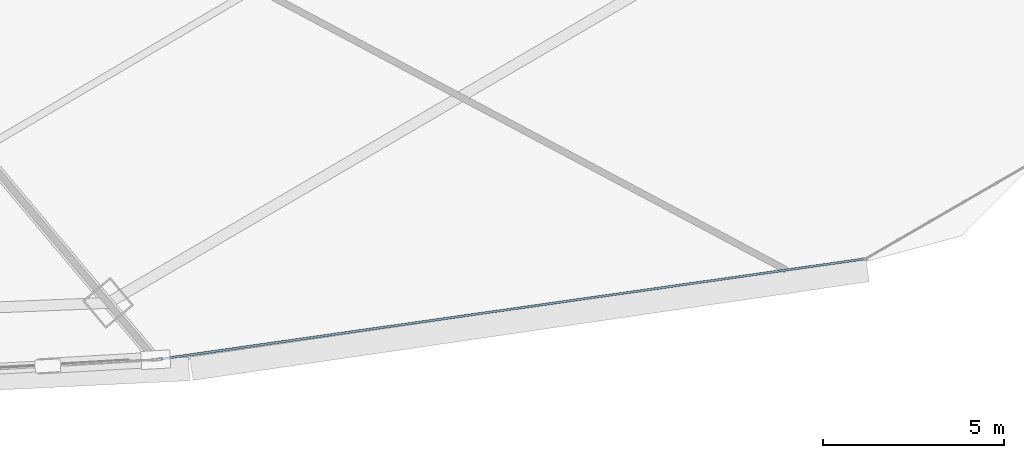
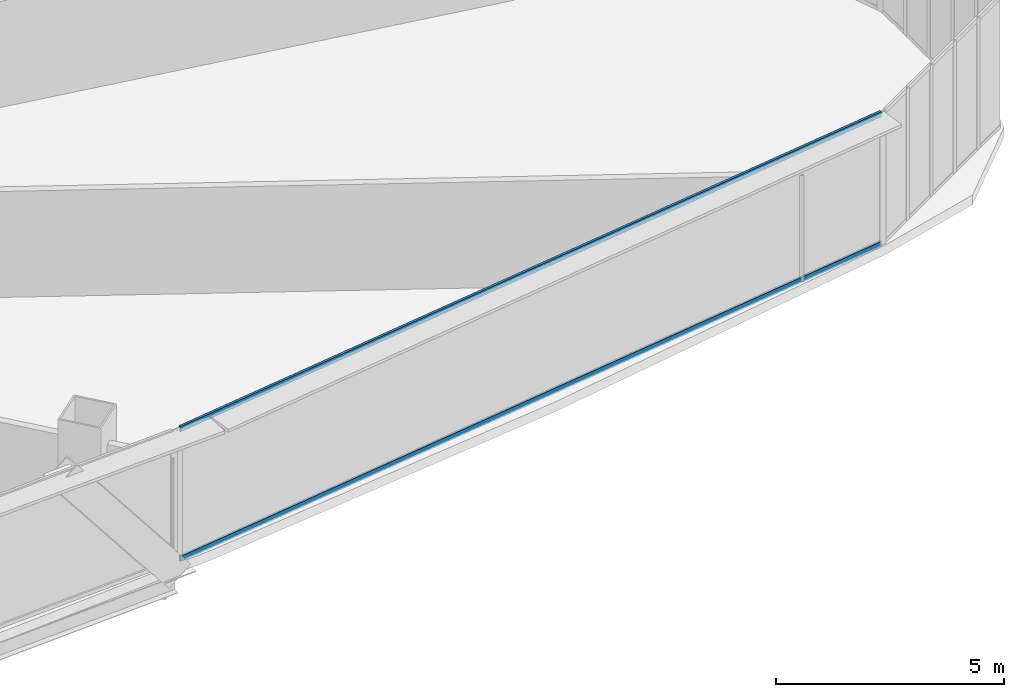
# One storey, part 19 of 39: 2 members, 1 element without a shape of its own.
"""IFC4 building model written with IfcOpenShell, lengths in metres."""

from ifc_helpers import new_model, si_unit, direction, frame, origin, origin_2d, place, context, subcontext, project, spatial, hollow_rectangle, extrude, source, transform, mapped, material, layer, layer_set, material_profile, profile_set, type_object, element, aggregate, save


model = new_model("IFC4")

# Units and contexts
model_context = context("Model", 3, precision=1e-05, world=origin(), true_north=direction((0.0, 1.0)))
body_context = subcontext(model_context, "Body", "Model", "MODEL_VIEW")
ifc_project = project(units=[si_unit("LENGTHUNIT", "METRE"), si_unit("AREAUNIT", "SQUARE_METRE"), si_unit("VOLUMEUNIT", "CUBIC_METRE"), si_unit("PLANEANGLEUNIT", "RADIAN"), si_unit("MASSUNIT", "GRAM", prefix="KILO"), si_unit("THERMODYNAMICTEMPERATUREUNIT", "KELVIN"), si_unit("POWERUNIT", "WATT")], contexts=[model_context])

# Site, building, storey
site_placement = place(None, origin())
site = spatial("IfcSite", under=ifc_project, at=site_placement, CompositionType="ELEMENT")
building_placement = place(site_placement, origin())
building = spatial("IfcBuilding", under=site, at=building_placement, Name="Yunzhuo Pagoda Commons", CompositionType="ELEMENT")
storey_placement = place(building_placement, frame((0.0, 0.0, 96.3798828125)))
storey = spatial("IfcBuildingStorey", under=building, at=storey_placement, Name="L24", CompositionType="ELEMENT", Elevation=96.3798828125)

# Curtain wall, members
ifc_material = material(Name="Anodized aluminium 6063-T6", Category="aluminium")
ifc_layer = layer(ifc_material, 0.1650390625)
ifc_layer_set = layer_set([ifc_layer], Name="Anodized aluminium 6063-T6")
curtain_wall_type = type_object("IfcCurtainWallType", Name="CW-LOW Low-Zone Ribbon Curtain Wall", PredefinedType="NOTDEFINED", material=ifc_layer_set)
curtain_wall_placement = place(storey_placement, origin())
curtain_wall = element("IfcCurtainWall", 1, at=curtain_wall_placement, inside=storey, type_object=curtain_wall_type, Name="L24 curtain wall CW-L24-F1B5", PredefinedType="NOTDEFINED")
ifc_material_profile = material_profile(ifc_material, hollow_rectangle(XDim=0.06005859375, YDim=0.139892578125, WallThickness=0.00341796875, at=origin_2d()), Name="Anodized aluminium 6063-T6")
ifc_profile_set = profile_set([ifc_material_profile], Name="Anodized aluminium 6063-T6")
member_type = type_object("IfcMemberType", Name="CW-LOW-T Transom RHS 140x60x3.5", PredefinedType="USERDEFINED", material=ifc_profile_set)
shared_shape = source(origin(), body_context, "Body", "SweptSolid", [
    extrude(hollow_rectangle(XDim=0.06005859375, YDim=0.139892578125, WallThickness=0.00341796875, at=origin_2d()), origin(), (0.0, 0.0, 1.0), 19.5625),
])
member_1_placement = place(storey_placement, frame((65.88818359375, 12.567138671875, 0.030029296875), z_axis=(0.99004337419, 0.140762627222, 0.0), x_axis=(-0.140762627222, 0.99004337419, 0.0)))
member_1 = element("IfcMember", 2, at=member_1_placement, type_object=member_type, Name="CW transom 1.1", ObjectType="TRANSOM", PredefinedType="USERDEFINED", context=body_context, shape_type="MappedRepresentation", body=[
    mapped(shared_shape, transform((0.0, 0.0, 0.0), scale=1.0)),
])
member_2_placement = place(storey_placement, frame((65.88818359375, 12.567138671875, 3.510009765625), z_axis=(0.99004337419, 0.140762627222, 0.0), x_axis=(-0.140762627222, 0.99004337419, 0.0)))
member_2 = element("IfcMember", 3, at=member_2_placement, type_object=member_type, Name="CW transom 1.2", ObjectType="TRANSOM", PredefinedType="USERDEFINED", context=body_context, shape_type="MappedRepresentation", body=[
    mapped(shared_shape, transform((0.0, 0.0, 0.0), scale=1.0)),
])
aggregate(curtain_wall, [member_1, member_2])

save(model, "model.ifc")
